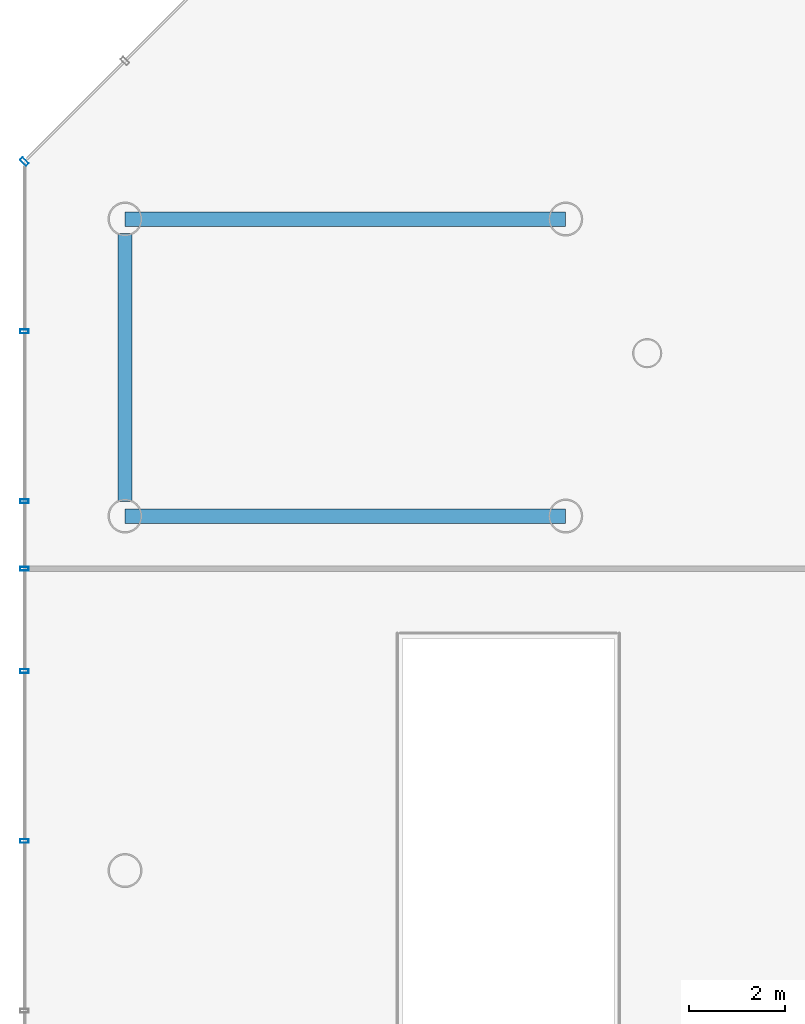
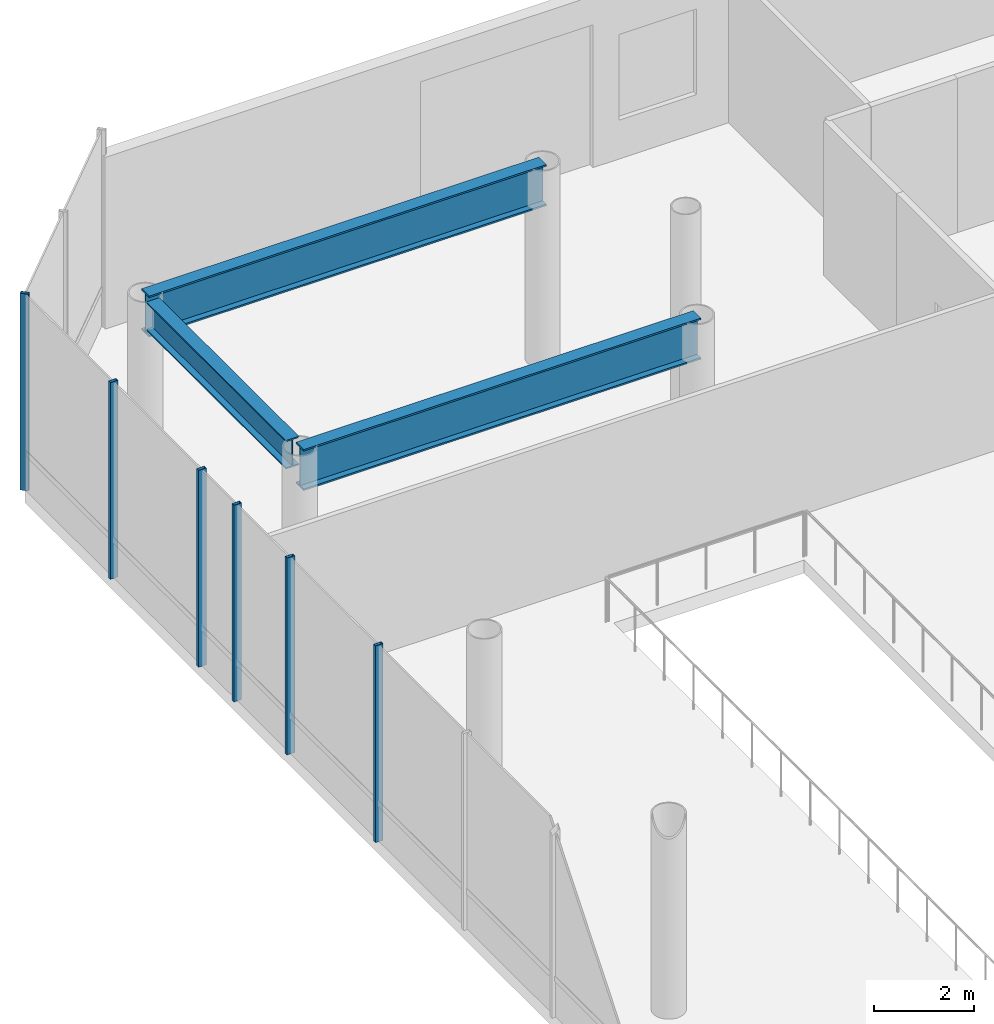
# One storey, part 10 of 31: 6 members, 3 beams, 2 elements without a shape of their own.
"""IFC4 building model written with IfcOpenShell, lengths in metres."""

import ifcopenshell
import ifcopenshell.guid

model = None  # the IFC model being written
_history = None  # IfcOwnerHistory: only IFC2X3 demands one
_inside = {}  # id of a spatial element -> (the spatial element, [elements in it])
_under = {}  # id of a project, library or spatial element -> (it, [spatial elements below it])
_declared = {}  # id of a project -> (the project, [libraries it declares])
_typed = {}  # id of a type object -> (the type object, [elements of that type])
_made_of = {}  # id of a material, layer set ... -> (it, [elements and type objects made of it])


def new_model(schema):
    """Start an empty IFC model of exactly this schema.

    Asked for "IFC4X3", IfcOpenShell would pick the latest addendum, in which some entities
    have other attributes; the version numbers below select the first issue.
    IFC2X3 requires an IfcOwnerHistory on every rooted entity: one is made here for all.
    """
    global model, _history
    if schema == "IFC4X3":
        model = ifcopenshell.file(schema_version=(4, 3, 0, 0))
    else:
        model = ifcopenshell.file(schema=schema)
    _inside.clear()
    _under.clear()
    _declared.clear()
    _typed.clear()
    _made_of.clear()
    _history = None
    if model.schema == "IFC2X3":
        org = make("IfcOrganization", Name="unknown")
        user = make(
            "IfcPersonAndOrganization",
            ThePerson=make("IfcPerson", FamilyName="unknown"),
            TheOrganization=org,
        )
        app = make(
            "IfcApplication",
            ApplicationDeveloper=org,
            Version="unknown",
            ApplicationFullName="unknown",
            ApplicationIdentifier="unknown",
        )
        _history = make(
            "IfcOwnerHistory",
            OwningUser=user,
            OwningApplication=app,
            ChangeAction="ADDED",
            CreationDate=0,
        )
    return model


def make(cls, **values):
    """One entity of the class cls with the attributes given. An attribute that is None is left unset."""
    return model.create_entity(
        cls, **{name: value for name, value in values.items() if value is not None}
    )


def rooted(cls, **values):
    """An entity with a GlobalId (a new one), such as an element, a storey or a relation."""
    return make(cls, GlobalId=ifcopenshell.guid.new(), OwnerHistory=_history, **values)


def si_unit(unit_type, name, prefix=None):
    """IfcSIUnit, for example si_unit("LENGTHUNIT", "METRE", prefix="MILLI")."""
    return make("IfcSIUnit", UnitType=unit_type, Prefix=prefix, Name=name)


def assignment(units):
    """IfcUnitAssignment: the units of a project."""
    return None if units is None else make("IfcUnitAssignment", Units=units)


def point(xyz):
    """IfcCartesianPoint."""
    return None if xyz is None else make("IfcCartesianPoint", Coordinates=xyz)


def direction(xyz):
    """IfcDirection."""
    return None if xyz is None else make("IfcDirection", DirectionRatios=xyz)


def frame(location, z_axis=None, x_axis=None):
    """IfcAxis2Placement3D, a coordinate frame: its origin and axes. An axis left out is left unset."""
    return make(
        "IfcAxis2Placement3D",
        Location=point(location),
        Axis=direction(z_axis),
        RefDirection=direction(x_axis),
    )


def frame_2d(location, x_axis=None):
    """IfcAxis2Placement2D, a coordinate frame in the plane: its origin and x axis."""
    return make(
        "IfcAxis2Placement2D", Location=point(location), RefDirection=direction(x_axis)
    )


def origin():
    """The frame at (0, 0, 0) with its axes left unset."""
    return frame((0.0, 0.0, 0.0))


def origin_2d():
    """The frame at (0, 0) in the plane with its x axis left unset."""
    return frame_2d((0.0, 0.0))


def place(relative_to, where):
    """IfcLocalPlacement: puts the frame where relative to a parent placement (None: the world)."""
    return make(
        "IfcLocalPlacement", PlacementRelTo=relative_to, RelativePlacement=where
    )


def context(
    kind, dimensions, precision=None, world=None, true_north=None, identifier=None
):
    """IfcGeometricRepresentationContext, for example the 3D "Model" context."""
    return make(
        "IfcGeometricRepresentationContext",
        ContextIdentifier=identifier,
        ContextType=kind,
        CoordinateSpaceDimension=dimensions,
        Precision=precision,
        WorldCoordinateSystem=world,
        TrueNorth=true_north,
    )


def subcontext(parent, identifier, kind, view, scale=None):
    """IfcGeometricRepresentationSubContext, for example "Body" below "Model"."""
    return make(
        "IfcGeometricRepresentationSubContext",
        ContextIdentifier=identifier,
        ContextType=kind,
        ParentContext=parent,
        TargetScale=scale,
        TargetView=view,
    )


def project(units=None, contexts=None):
    """IfcProject with its units and contexts."""
    return rooted(
        "IfcProject",
        Name="project",
        RepresentationContexts=contexts,
        UnitsInContext=assignment(units),
    )


def spatial(cls, under=None, at=None, **own):
    """A site, building, storey or space (cls), placed at a placement, below another one or the project."""
    s = rooted(cls, ObjectPlacement=at, **own)
    if under is not None:
        _under.setdefault(under.id(), (under, []))[1].append(s)
    return s


def profile(cls, at=None, kind="AREA", **sizes):
    """A parametric profile (cls). Its sizes go by their IFC names, for example OverallWidth=200.0."""
    return make(cls, ProfileType=kind, Position=at, **sizes)


def hollow_rectangle(**sizes):
    """IfcRectangleHollowProfileDef."""
    return profile("IfcRectangleHollowProfileDef", **sizes)


def i_section(**sizes):
    """IfcIShapeProfileDef."""
    return profile("IfcIShapeProfileDef", **sizes)


def extrude(swept, where, along, depth):
    """IfcExtrudedAreaSolid: the profile swept, set in the frame where, extruded along a direction by depth."""
    return make(
        "IfcExtrudedAreaSolid",
        SweptArea=swept,
        Position=where,
        ExtrudedDirection=direction(along),
        Depth=depth,
    )


def shape(context_of_items, identifier, shape_type, items):
    """IfcShapeRepresentation: the items that make up one representation, for example the "Body"."""
    return make(
        "IfcShapeRepresentation",
        ContextOfItems=context_of_items,
        RepresentationIdentifier=identifier,
        RepresentationType=shape_type,
        Items=items,
    )


def material(Name=None, Category=None):
    """IfcMaterial."""
    return make("IfcMaterial", Name=Name, Category=Category)


def layer(
    of_material, thickness, ventilated=None, Name=None, Category=None, Priority=None
):
    """IfcMaterialLayer: one layer of a wall or slab, of a material (None: an air gap)."""
    return make(
        "IfcMaterialLayer",
        Material=of_material,
        LayerThickness=thickness,
        IsVentilated=ventilated,
        Name=Name,
        Category=Category,
        Priority=Priority,
    )


def layer_set(layers, Name=None):
    """IfcMaterialLayerSet."""
    return make("IfcMaterialLayerSet", MaterialLayers=layers, LayerSetName=Name)


def material_profile(
    of_material, cross_section, Name=None, Category=None, Priority=None
):
    """IfcMaterialProfile: a cross section and its material."""
    return make(
        "IfcMaterialProfile",
        Name=Name,
        Material=of_material,
        Profile=cross_section,
        Priority=Priority,
        Category=Category,
    )


def profile_set(profiles, Name=None, composite=None):
    """IfcMaterialProfileSet."""
    return make(
        "IfcMaterialProfileSet",
        Name=Name,
        MaterialProfiles=profiles,
        CompositeProfile=composite,
    )


def made_of(thing, what):
    """Note that an element or type object is made of a material, layer set ...; save() writes the relation."""
    if what is not None:
        _made_of.setdefault(what.id(), (what, []))[1].append(thing)
    return thing


def type_object(cls, material=None, **own):
    """A type object (cls), such as IfcWallType, which elements share."""
    return made_of(rooted(cls, **own), material)


def element(
    cls,
    number,
    at=None,
    inside=None,
    cuts=None,
    type_object=None,
    material=None,
    context=None,
    identifier="Body",
    shape_type=None,
    held_by="IfcProductDefinitionShape",
    body=None,
    shapes=None,
    **own,
):
    """One element of the class cls, such as IfcWall. Its Tag is "e" and its number.

    at: its placement. inside: the storey or other place that contains it. cuts: it is an
    opening in that element (IfcRelVoidsElement). A single representation is given by context,
    identifier, shape_type and body (its items); several are given by shapes. held_by: the class
    of the entity that holds the representations. save() writes the other relations.
    """
    e = rooted(cls, Tag="e%d" % number, ObjectPlacement=at, **own)
    if body is not None:
        shapes = [shape(context, identifier, shape_type, body)]
    if shapes is not None:
        e.Representation = make(held_by, Representations=shapes)
    if inside is not None:
        _inside.setdefault(inside.id(), (inside, []))[1].append(e)
    if cuts is not None:
        rooted(
            "IfcRelVoidsElement", RelatingBuildingElement=cuts, RelatedOpeningElement=e
        )
    if type_object is not None:
        _typed.setdefault(type_object.id(), (type_object, []))[1].append(e)
    return made_of(e, material)


def aggregate(whole, parts):
    """IfcRelAggregates: a whole, such as a stair, and the parts it consists of."""
    return rooted("IfcRelAggregates", RelatingObject=whole, RelatedObjects=parts)


def save(model, path):
    """Write the relations noted so far, then the file.

    IfcRelAggregates (storeys below a building ...), IfcRelContainedInSpatialStructure (elements
    in a storey), IfcRelDefinesByType, IfcRelAssociatesMaterial and IfcRelDeclares: one each for
    every whole, place, type object, material and project.
    """
    for whole, parts in _under.values():
        aggregate(whole, parts)
    for where, things in _inside.values():
        rooted(
            "IfcRelContainedInSpatialStructure",
            RelatedElements=things,
            RelatingStructure=where,
        )
    for kind, things in _typed.values():
        rooted("IfcRelDefinesByType", RelatedObjects=things, RelatingType=kind)
    for what, things in _made_of.values():
        rooted("IfcRelAssociatesMaterial", RelatedObjects=things, RelatingMaterial=what)
    for by, libraries in _declared.values():
        rooted("IfcRelDeclares", RelatingContext=by, RelatedDefinitions=libraries)
    model.write(path)


model = new_model("IFC4")

# Units and contexts
model_context = context("Model", 3, precision=1e-05, world=origin(), true_north=direction((0.0, 1.0)))
body_context = subcontext(model_context, "Body", "Model", "MODEL_VIEW")
ifc_project = project(units=[si_unit("LENGTHUNIT", "METRE"), si_unit("AREAUNIT", "SQUARE_METRE"), si_unit("VOLUMEUNIT", "CUBIC_METRE"), si_unit("PLANEANGLEUNIT", "RADIAN"), si_unit("MASSUNIT", "GRAM", prefix="KILO")], contexts=[model_context])

# Site, building, storey
site_placement = place(None, origin())
site = spatial("IfcSite", under=ifc_project, at=site_placement, CompositionType="ELEMENT")
building_placement = place(site_placement, origin())
building = spatial("IfcBuilding", under=site, at=building_placement, Name="Zarrinselat Tower", CompositionType="ELEMENT")
storey_placement = place(building_placement, origin())
storey = spatial("IfcBuildingStorey", under=building, at=storey_placement, Name="L00", CompositionType="ELEMENT", Elevation=0.0)

# Beams
ifc_material_1 = material(Name="Steel S355J2", Category="steel")
ifc_material_profile_1 = material_profile(ifc_material_1, i_section(OverallWidth=0.300048828125, OverallDepth=0.699951171875, WebThickness=0.01708984375, FlangeThickness=0.031982421875, at=origin_2d()), Name="HEB 700")
ifc_profile_set_1 = profile_set([ifc_material_profile_1], Name="Steel S355J2")
beam_type_1 = type_object("IfcBeamType", Name="BM-HEB700", PredefinedType="SPANDREL", material=ifc_profile_set_1)
beam_placement = place(storey_placement, frame((-0.39990234375, 40.89990234375, 4.469970703125), z_axis=(0.0, 1.0, 0.0), x_axis=(-1.0, 0.0, 0.0)))
element("IfcBeam", 1, at=beam_placement, inside=storey, type_object=beam_type_1, Name="L00 Podium Perimeter Beam W-40", PredefinedType="SPANDREL", context=body_context, shape_type="SweptSolid", body=[
    extrude(i_section(OverallWidth=0.300048828125, OverallDepth=0.699951171875, WebThickness=0.01708984375, FlangeThickness=0.031982421875, at=origin_2d()), origin(), (0.0, 0.0, 1.0), 5.60009765625),
])
ifc_material_2 = material(Name="Steel S460M", Category="steel")
ifc_material_profile_2 = material_profile(ifc_material_2, i_section(OverallWidth=0.302001953125, OverallDepth=1.008056640625, WebThickness=0.02099609375, FlangeThickness=0.0400390625, at=origin_2d()), Name="HEM 1000")
ifc_profile_set_2 = profile_set([ifc_material_profile_2], Name="Steel S460M")
beam_type_2 = type_object("IfcBeamType", Name="BM-PDTR-HEM1000", PredefinedType="BEAM", material=ifc_profile_set_2)
for number, where, z_axis, x_axis, name in (
    (2, (-0.39990234375, 40.60009765625, 4.31591796875), (1.0, 0.0, 0.0), (0.0, 1.0, 0.0), "L00 Podium Transfer Girder W-40"),
    (3, (-0.39990234375, 46.800048828125, 4.31591796875), (1.0, 0.0, 0.0), (0.0, 1.0, 0.0), "L00 Podium Transfer Girder W-46"),
):
    element("IfcBeam", number, at=place(storey_placement, frame(where, z_axis=z_axis, x_axis=x_axis)), inside=storey, type_object=beam_type_2, Name=name, PredefinedType="BEAM", context=body_context, shape_type="SweptSolid", body=[
        extrude(i_section(OverallWidth=0.302001953125, OverallDepth=1.008056640625, WebThickness=0.02099609375, FlangeThickness=0.0400390625, at=origin_2d()), origin(), (0.0, 0.0, 1.0), 9.199951171875),
    ])

# Curtain wall, member
ifc_material_3 = material(Name="Extruded Aluminium Alloy EN AW-6063 T6", Category="aluminium")
ifc_layer = layer(ifc_material_3, 0.2099609375)
ifc_layer_set = layer_set([ifc_layer], Name="Extruded Aluminium Alloy EN AW-6063 T6")
curtain_wall_type = type_object("IfcCurtainWallType", Name="CWS-POD", PredefinedType="NOTDEFINED", material=ifc_layer_set)
curtain_wall_1_placement = place(storey_placement, origin())
curtain_wall_1 = element("IfcCurtainWall", 4, at=curtain_wall_1_placement, inside=storey, type_object=curtain_wall_type, Name="L00 Unitised Curtain Wall CW-L00-E6", PredefinedType="NOTDEFINED")
ifc_material_4 = material(Name="Extruded Aluminium Alloy EN AW-6063 T6", Category="aluminium")
ifc_material_profile_3 = material_profile(ifc_material_4, hollow_rectangle(XDim=0.080078125, YDim=0.179931640625, WallThickness=0.0048828125, at=origin_2d()), Name="RHS 180x80x5")
ifc_profile_set_3 = profile_set([ifc_material_profile_3], Name="Extruded Aluminium Alloy EN AW-6063 T6")
member_type = type_object("IfcMemberType", Name="MEM-CW-MUL", PredefinedType="MULLION", material=ifc_profile_set_3)
member_1_placement = place(storey_placement, frame((-2.5, 48.0, 0.0), z_axis=(0.0, 0.0, 1.0), x_axis=(-0.707106781187, -0.707106781187, 0.0)))
member_1 = element("IfcMember", 5, at=member_1_placement, type_object=member_type, Name="CW-L00-E6 Mullion 2", PredefinedType="MULLION", context=body_context, shape_type="SweptSolid", body=[
    extrude(hollow_rectangle(XDim=0.080078125, YDim=0.179931640625, WallThickness=0.0048828125, at=origin_2d()), origin(), (0.0, 0.0, 1.0), 4.820068359375),
])
aggregate(curtain_wall_1, [member_1])

# Curtain wall, members
curtain_wall_2_placement = place(storey_placement, origin())
curtain_wall_2 = element("IfcCurtainWall", 6, at=curtain_wall_2_placement, inside=storey, type_object=curtain_wall_type, Name="L00 Unitised Curtain Wall CW-L00-E7", PredefinedType="NOTDEFINED")
member_2_placement = place(storey_placement, frame((-2.5, 44.45458984375, 0.0), z_axis=(0.0, 0.0, 1.0), x_axis=(0.0, -1.0, 0.0)))
member_2 = element("IfcMember", 7, at=member_2_placement, type_object=member_type, Name="CW-L00-E7 Mullion 1", PredefinedType="MULLION", context=body_context, shape_type="SweptSolid", body=[
    extrude(hollow_rectangle(XDim=0.080078125, YDim=0.179931640625, WallThickness=0.0048828125, at=origin_2d()), origin(), (0.0, 0.0, 1.0), 4.820068359375),
])
member_3_placement = place(storey_placement, frame((-2.5, 40.9091796875, 0.0), z_axis=(0.0, 0.0, 1.0), x_axis=(0.0, -1.0, 0.0)))
member_3 = element("IfcMember", 8, at=member_3_placement, type_object=member_type, Name="CW-L00-E7 Mullion 2", PredefinedType="MULLION", context=body_context, shape_type="SweptSolid", body=[
    extrude(hollow_rectangle(XDim=0.080078125, YDim=0.179931640625, WallThickness=0.0048828125, at=origin_2d()), origin(), (0.0, 0.0, 1.0), 4.820068359375),
])
member_4_placement = place(storey_placement, frame((-2.5, 39.5, 0.0), z_axis=(0.0, 0.0, 1.0), x_axis=(0.0, -1.0, 0.0)))
member_4 = element("IfcMember", 9, at=member_4_placement, type_object=member_type, Name="CW-L00-E7 Mullion 3", PredefinedType="MULLION", context=body_context, shape_type="SweptSolid", body=[
    extrude(hollow_rectangle(XDim=0.080078125, YDim=0.179931640625, WallThickness=0.0048828125, at=origin_2d()), origin(), (0.0, 0.0, 1.0), 4.820068359375),
])
member_5_placement = place(storey_placement, frame((-2.5, 37.363525390625, 0.0), z_axis=(0.0, 0.0, 1.0), x_axis=(0.0, -1.0, 0.0)))
member_5 = element("IfcMember", 10, at=member_5_placement, type_object=member_type, Name="CW-L00-E7 Mullion 4", PredefinedType="MULLION", context=body_context, shape_type="SweptSolid", body=[
    extrude(hollow_rectangle(XDim=0.080078125, YDim=0.179931640625, WallThickness=0.0048828125, at=origin_2d()), origin(), (0.0, 0.0, 1.0), 4.820068359375),
])
member_6_placement = place(storey_placement, frame((-2.5, 33.818115234375, 0.0), z_axis=(0.0, 0.0, 1.0), x_axis=(0.0, -1.0, 0.0)))
member_6 = element("IfcMember", 11, at=member_6_placement, type_object=member_type, Name="CW-L00-E7 Mullion 5", PredefinedType="MULLION", context=body_context, shape_type="SweptSolid", body=[
    extrude(hollow_rectangle(XDim=0.080078125, YDim=0.179931640625, WallThickness=0.0048828125, at=origin_2d()), origin(), (0.0, 0.0, 1.0), 4.820068359375),
])
aggregate(curtain_wall_2, [member_2, member_3, member_4, member_5, member_6])

save(model, "model.ifc")
